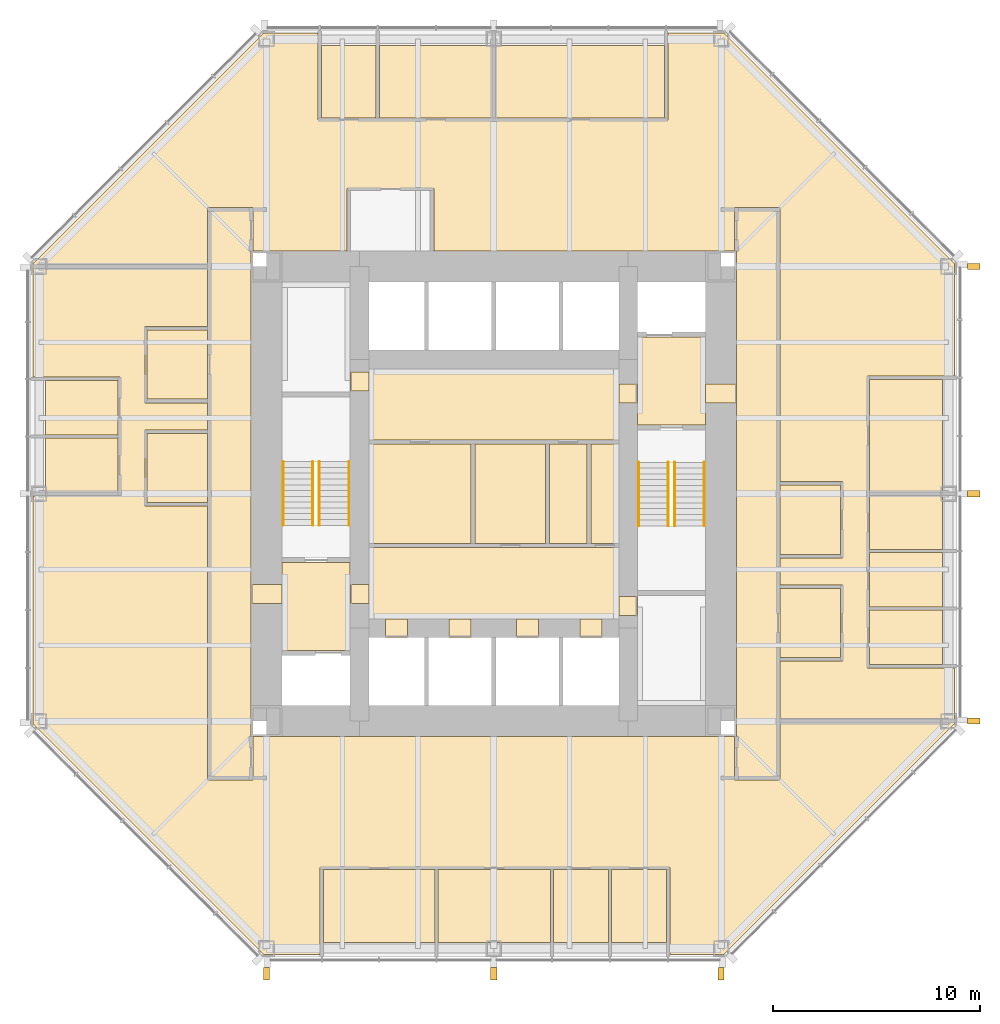
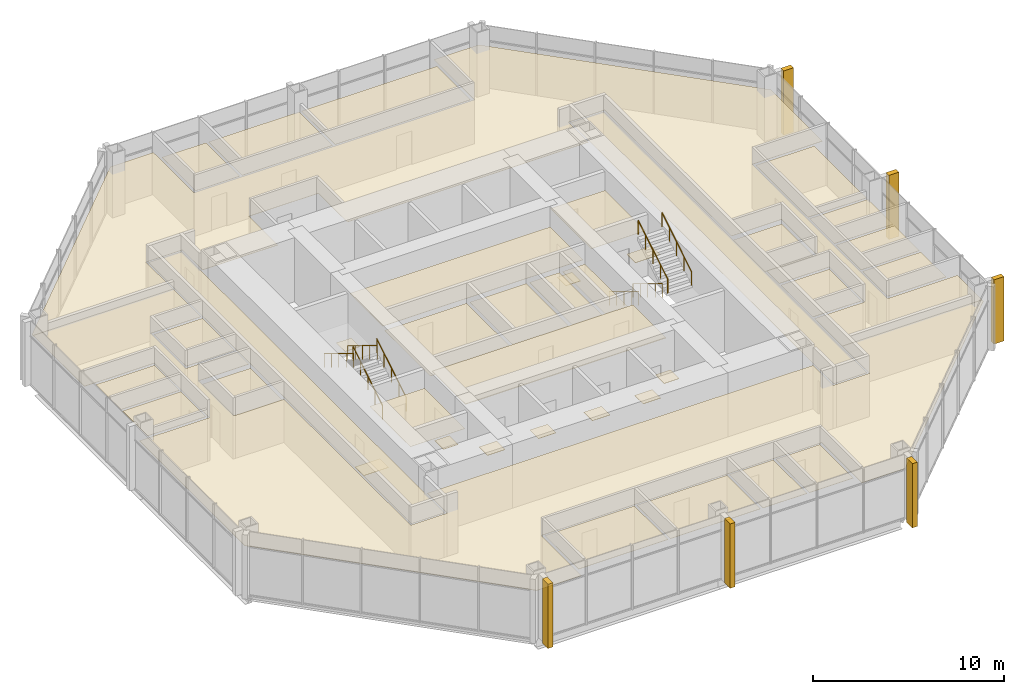
# One storey, part 12 of 12: 45 coverings, 8 railings.
"""IFC4 building model written with IfcOpenShell, lengths in metres."""

from ifc_helpers import new_model, si_unit, direction, frame, origin, origin_2d, place, context, subcontext, project, spatial, polyline, rectangle, circle, outline, extrude, material, layer, layer_set, type_object, element, save


model = new_model("IFC4")

# Units and contexts
model_context = context("Model", 3, precision=1e-05, world=origin(), true_north=direction((0.0, 1.0)))
body_context = subcontext(model_context, "Body", "Model", "MODEL_VIEW")
ifc_project = project(units=[si_unit("LENGTHUNIT", "METRE"), si_unit("AREAUNIT", "SQUARE_METRE"), si_unit("VOLUMEUNIT", "CUBIC_METRE"), si_unit("PLANEANGLEUNIT", "RADIAN"), si_unit("MASSUNIT", "GRAM", prefix="KILO")], contexts=[model_context])

# Site, building, storey
site_placement = place(None, origin())
site = spatial("IfcSite", under=ifc_project, at=site_placement, CompositionType="ELEMENT")
building_placement = place(site_placement, origin())
building = spatial("IfcBuilding", under=site, at=building_placement, Name="Trevanion Tower", CompositionType="ELEMENT")
storey_placement = place(building_placement, frame((0.0, 0.0, 137.699951171875)))
storey = spatial("IfcBuildingStorey", under=building, at=storey_placement, Name="L32", CompositionType="ELEMENT", Elevation=137.699951171875)

# Coverings
ifc_material_1 = material(Name="Fibrous plaster coffers on suspended steel grid", Category="steel")
ifc_layer_1 = layer(ifc_material_1, 0.050048828125)
ifc_layer_set_1 = layer_set([ifc_layer_1], Name="CL1 coffered fibrous plaster ceiling 50")
covering_type_1 = type_object("IfcCoveringType", Name="CL1 coffered fibrous plaster ceiling 50", PredefinedType="CEILING", material=ifc_layer_set_1)
covering_1_placement = place(storey_placement, frame((0.0, 0.0, 3.0)))
element("IfcCovering", 1, at=covering_1_placement, inside=storey, type_object=covering_type_1, Name="CL1 L32-LBS", PredefinedType="CEILING", context=body_context, shape_type="SweptSolid", body=[
    extrude(outline(polyline([(6.050048828125, -6.050048828125), (6.050048828125, -2.60009765625), (-6.050048828125, -2.60009765625), (-6.050048828125, -6.050048828125), (6.050048828125, -6.050048828125)])), origin(), (0.0, 0.0, 1.0), 0.050048828125),
])
ifc_material_2 = material(Name="Mineral fibre acoustic tiles in exposed grid", Category="mineral fibre")
ifc_layer_2 = layer(ifc_material_2, 0.02001953125)
ifc_layer_set_2 = layer_set([ifc_layer_2], Name="CL2 acoustic tile ceiling 20")
covering_type_2 = type_object("IfcCoveringType", Name="CL2 acoustic tile ceiling 20", PredefinedType="CEILING", material=ifc_layer_set_2)
covering_2_placement = place(storey_placement, frame((0.0, 0.0, 2.75)))
element("IfcCovering", 2, at=covering_2_placement, inside=storey, type_object=covering_type_2, Name="CL2 L32-LBN", PredefinedType="CEILING", context=body_context, shape_type="SweptSolid", body=[
    extrude(outline(polyline([(6.050048828125, 2.60009765625), (6.050048828125, 6.050048828125), (-6.050048828125, 6.050048828125), (-6.050048828125, 2.60009765625), (6.050048828125, 2.60009765625)])), origin(), (0.0, 0.0, 1.0), 0.02001953125),
])
covering_3_placement = place(storey_placement, frame((0.0, 0.0, 2.75)))
element("IfcCovering", 3, at=covering_3_placement, inside=storey, type_object=covering_type_2, Name="CL2 L32-CO1", PredefinedType="CEILING", context=body_context, shape_type="SweptSolid", body=[
    extrude(outline(polyline([(-11.75, 13.75), (-11.75, -13.75), (-13.75, -13.75), (-13.75, 13.75), (-11.75, 13.75)])), origin(), (0.0, 0.0, 1.0), 0.02001953125),
])
covering_4_placement = place(storey_placement, frame((0.0, 0.0, 2.75)))
element("IfcCovering", 4, at=covering_4_placement, inside=storey, type_object=covering_type_2, Name="CL2 L32-CO2", PredefinedType="CEILING", context=body_context, shape_type="SweptSolid", body=[
    extrude(outline(polyline([(11.75, 13.75), (13.75, 13.75), (13.75, -13.75), (11.75, -13.75), (11.75, 13.75)])), origin(), (0.0, 0.0, 1.0), 0.02001953125),
])
covering_5_placement = place(storey_placement, frame((0.0, 0.0, 2.75)))
element("IfcCovering", 5, at=covering_5_placement, inside=storey, type_object=covering_type_2, Name="CL2 L32-BR", PredefinedType="CEILING", context=body_context, shape_type="SweptSolid", body=[
    extrude(outline(polyline([(8.248046875, 18.175048828125), (0.074951171875, 18.175048828125), (0.074951171875, 21.699951171875), (8.248046875, 21.699951171875), (8.248046875, 18.175048828125)])), origin(), (0.0, 0.0, 1.0), 0.02001953125),
])
covering_6_placement = place(storey_placement, frame((0.0, 0.0, 2.75)))
element("IfcCovering", 6, at=covering_6_placement, inside=storey, type_object=covering_type_2, Name="CL2 L32-MR", PredefinedType="CEILING", context=body_context, shape_type="SweptSolid", body=[
    extrude(outline(polyline([(-0.074951171875, 18.175048828125), (-5.5390625, 18.175048828125), (-5.5390625, 21.699951171875), (-0.074951171875, 21.699951171875), (-0.074951171875, 18.175048828125)])), origin(), (0.0, 0.0, 1.0), 0.02001953125),
])
covering_7_placement = place(storey_placement, frame((0.0, 0.0, 2.75)))
element("IfcCovering", 7, at=covering_7_placement, inside=storey, type_object=covering_type_2, Name="CL2 L32-OF", PredefinedType="CEILING", context=body_context, shape_type="SweptSolid", body=[
    extrude(outline(polyline([(-5.68896484375, 18.175048828125), (-8.345947265625, 18.175048828125), (-8.345947265625, 21.699951171875), (-5.68896484375, 21.699951171875), (-5.68896484375, 18.175048828125)])), origin(), (0.0, 0.0, 1.0), 0.02001953125),
])
covering_8_placement = place(storey_placement, frame((0.0, 0.0, 2.75)))
element("IfcCovering", 8, at=covering_8_placement, inside=storey, type_object=covering_type_2, Name="CL2 L32-MR2", PredefinedType="CEILING", context=body_context, shape_type="SweptSolid", body=[
    extrude(outline(polyline([(-8.248046875, -18.175048828125), (-2.85009765625, -18.175048828125), (-2.85009765625, -21.699951171875), (-8.248046875, -21.699951171875), (-8.248046875, -18.175048828125)])), origin(), (0.0, 0.0, 1.0), 0.02001953125),
])
covering_9_placement = place(storey_placement, frame((0.0, 0.0, 2.75)))
element("IfcCovering", 9, at=covering_9_placement, inside=storey, type_object=covering_type_2, Name="CL2 L32-MR3", PredefinedType="CEILING", context=body_context, shape_type="SweptSolid", body=[
    extrude(outline(polyline([(-2.699951171875, -18.175048828125), (2.73193359375, -18.175048828125), (2.73193359375, -21.699951171875), (-2.699951171875, -21.699951171875), (-2.699951171875, -18.175048828125)])), origin(), (0.0, 0.0, 1.0), 0.02001953125),
])
covering_10_placement = place(storey_placement, frame((0.0, 0.0, 2.75)))
element("IfcCovering", 10, at=covering_10_placement, inside=storey, type_object=covering_type_2, Name="CL2 L32-OF2", PredefinedType="CEILING", context=body_context, shape_type="SweptSolid", body=[
    extrude(outline(polyline([(2.882080078125, -18.175048828125), (5.5390625, -18.175048828125), (5.5390625, -21.699951171875), (2.882080078125, -21.699951171875), (2.882080078125, -18.175048828125)])), origin(), (0.0, 0.0, 1.0), 0.02001953125),
])
covering_11_placement = place(storey_placement, frame((0.0, 0.0, 2.75)))
element("IfcCovering", 11, at=covering_11_placement, inside=storey, type_object=covering_type_2, Name="CL2 L32-OF3", PredefinedType="CEILING", context=body_context, shape_type="SweptSolid", body=[
    extrude(outline(polyline([(5.68896484375, -18.175048828125), (8.345947265625, -18.175048828125), (8.345947265625, -21.699951171875), (5.68896484375, -21.699951171875), (5.68896484375, -18.175048828125)])), origin(), (0.0, 0.0, 1.0), 0.02001953125),
])
covering_12_placement = place(storey_placement, frame((0.0, 0.0, 2.75)))
element("IfcCovering", 12, at=covering_12_placement, inside=storey, type_object=covering_type_2, Name="CL2 L32-OF4", PredefinedType="CEILING", context=body_context, shape_type="SweptSolid", body=[
    extrude(outline(polyline([(18.175048828125, -8.248046875), (18.175048828125, -5.6240234375), (21.699951171875, -5.6240234375), (21.699951171875, -8.248046875), (18.175048828125, -8.248046875)])), origin(), (0.0, 0.0, 1.0), 0.02001953125),
])
covering_13_placement = place(storey_placement, frame((0.0, 0.0, 2.75)))
element("IfcCovering", 13, at=covering_13_placement, inside=storey, type_object=covering_type_2, Name="CL2 L32-OF5", PredefinedType="CEILING", context=body_context, shape_type="SweptSolid", body=[
    extrude(outline(polyline([(18.175048828125, -5.47412109375), (18.175048828125, -2.85009765625), (21.699951171875, -2.85009765625), (21.699951171875, -5.47412109375), (18.175048828125, -5.47412109375)])), origin(), (0.0, 0.0, 1.0), 0.02001953125),
])
covering_14_placement = place(storey_placement, frame((0.0, 0.0, 2.75)))
element("IfcCovering", 14, at=covering_14_placement, inside=storey, type_object=covering_type_2, Name="CL2 L32-OF6", PredefinedType="CEILING", context=body_context, shape_type="SweptSolid", body=[
    extrude(outline(polyline([(18.175048828125, -2.699951171875), (18.175048828125, -0.074951171875), (21.699951171875, -0.074951171875), (21.699951171875, -2.699951171875), (18.175048828125, -2.699951171875)])), origin(), (0.0, 0.0, 1.0), 0.02001953125),
])
covering_15_placement = place(storey_placement, frame((0.0, 0.0, 2.75)))
element("IfcCovering", 15, at=covering_15_placement, inside=storey, type_object=covering_type_2, Name="CL2 L32-MR4", PredefinedType="CEILING", context=body_context, shape_type="SweptSolid", body=[
    extrude(outline(polyline([(18.175048828125, 0.074951171875), (18.175048828125, 5.5390625), (21.699951171875, 5.5390625), (21.699951171875, 0.074951171875), (18.175048828125, 0.074951171875)])), origin(), (0.0, 0.0, 1.0), 0.02001953125),
])
covering_16_placement = place(storey_placement, frame((0.0, 0.0, 2.75)))
element("IfcCovering", 16, at=covering_16_placement, inside=storey, type_object=covering_type_2, Name="CL2 L32-OF7", PredefinedType="CEILING", context=body_context, shape_type="SweptSolid", body=[
    extrude(outline(polyline([(-18.175048828125, 5.47412109375), (-18.175048828125, 2.85009765625), (-21.699951171875, 2.85009765625), (-21.699951171875, 5.47412109375), (-18.175048828125, 5.47412109375)])), origin(), (0.0, 0.0, 1.0), 0.02001953125),
])
covering_17_placement = place(storey_placement, frame((0.0, 0.0, 2.75)))
element("IfcCovering", 17, at=covering_17_placement, inside=storey, type_object=covering_type_2, Name="CL2 L32-OF8", PredefinedType="CEILING", context=body_context, shape_type="SweptSolid", body=[
    extrude(outline(polyline([(-18.175048828125, 2.699951171875), (-18.175048828125, 0.074951171875), (-21.699951171875, 0.074951171875), (-21.699951171875, 2.699951171875), (-18.175048828125, 2.699951171875)])), origin(), (0.0, 0.0, 1.0), 0.02001953125),
])
covering_18_placement = place(storey_placement, frame((0.0, 0.0, 2.75)))
element("IfcCovering", 18, at=covering_18_placement, inside=storey, type_object=covering_type_2, Name="CL2 L32-RC", PredefinedType="CEILING", context=body_context, shape_type="SweptSolid", body=[
    extrude(outline(polyline([(13.85009765625, -7.925048828125), (13.85009765625, -4.574951171875), (16.77490234375, -4.574951171875), (16.77490234375, -7.925048828125), (13.85009765625, -7.925048828125)])), origin(), (0.0, 0.0, 1.0), 0.02001953125),
])
covering_19_placement = place(storey_placement, frame((0.0, 0.0, 2.75)))
element("IfcCovering", 19, at=covering_19_placement, inside=storey, type_object=covering_type_2, Name="CL2 L32-RC2", PredefinedType="CEILING", context=body_context, shape_type="SweptSolid", body=[
    extrude(outline(polyline([(-13.85009765625, 7.925048828125), (-13.85009765625, 4.574951171875), (-16.77490234375, 4.574951171875), (-16.77490234375, 7.925048828125), (-13.85009765625, 7.925048828125)])), origin(), (0.0, 0.0, 1.0), 0.02001953125),
])
covering_20_placement = place(storey_placement, frame((0.0, 0.0, 2.75)))
element("IfcCovering", 20, at=covering_20_placement, inside=storey, type_object=covering_type_2, Name="CL2 L32-OP", PredefinedType="CEILING", context=body_context, shape_type="SweptSolid", body=[
    extrude(outline(polyline([(11.64990234375, 13.85009765625), (11.64990234375, 11.75), (-2.905029296875, 11.75), (-2.905029296875, 14.77001953125), (-7.094970703125, 14.77001953125), (-7.094970703125, 11.75), (-11.64990234375, 11.75), (-11.64990234375, 13.85009765625), (-13.85009765625, 13.85009765625), (-13.85009765625, 11.0), (-22.300048828125, 11.0), (-22.300048828125, 11.124267578125), (-11.124267578125, 22.300048828125), (-8.51611328125, 22.300048828125), (-8.51611328125, 18.080078125), (8.41796875, 18.080078125), (8.41796875, 22.300048828125), (11.124267578125, 22.300048828125), (22.300048828125, 11.124267578125), (22.300048828125, 5.708984375), (18.080078125, 5.708984375), (18.080078125, -8.41796875), (22.300048828125, -8.41796875), (22.300048828125, -11.0), (13.85009765625, -11.0), (13.85009765625, -8.094970703125), (16.8701171875, -8.094970703125), (16.8701171875, -4.405029296875), (13.85009765625, -4.405029296875), (13.85009765625, -3.094970703125), (16.8701171875, -3.094970703125), (16.8701171875, 0.594970703125), (13.85009765625, 0.594970703125), (13.85009765625, 13.85009765625), (11.64990234375, 13.85009765625)])), origin(), (0.0, 0.0, 1.0), 0.02001953125),
])
covering_21_placement = place(storey_placement, frame((0.0, 0.0, 2.75)))
element("IfcCovering", 21, at=covering_21_placement, inside=storey, type_object=covering_type_2, Name="CL2 L32-OP2", PredefinedType="CEILING", context=body_context, shape_type="SweptSolid", body=[
    extrude(outline(polyline([(11.64990234375, -13.85009765625), (13.85009765625, -13.85009765625), (13.85009765625, -11.0), (22.300048828125, -11.0), (22.300048828125, -11.124267578125), (11.124267578125, -22.300048828125), (8.51611328125, -22.300048828125), (8.51611328125, -18.080078125), (-8.41796875, -18.080078125), (-8.41796875, -22.300048828125), (-11.124267578125, -22.300048828125), (-22.300048828125, -11.124267578125), (-22.300048828125, -0.094970703125), (-18.080078125, -0.094970703125), (-18.080078125, 5.64404296875), (-22.300048828125, 5.64404296875), (-22.300048828125, 11.0), (-13.85009765625, 11.0), (-13.85009765625, 8.094970703125), (-16.8701171875, 8.094970703125), (-16.8701171875, 4.405029296875), (-13.85009765625, 4.405029296875), (-13.85009765625, 3.094970703125), (-16.8701171875, 3.094970703125), (-16.8701171875, -0.594970703125), (-13.85009765625, -0.594970703125), (-13.85009765625, -13.85009765625), (-11.64990234375, -13.85009765625), (-11.64990234375, -11.75), (11.64990234375, -11.75), (11.64990234375, -13.85009765625)])), origin(), (0.0, 0.0, 1.0), 0.02001953125),
])
ifc_material_3 = material(Name="Gypsum plasterboard on suspended metal furring", Category="gypsum")
ifc_layer_3 = layer(ifc_material_3, 0.012939453125)
ifc_layer_set_3 = layer_set([ifc_layer_3], Name="CL3 plasterboard ceiling 13")
covering_type_3 = type_object("IfcCoveringType", Name="CL3 plasterboard ceiling 13", PredefinedType="CEILING", material=ifc_layer_set_3)
covering_22_placement = place(storey_placement, frame((0.0, 0.0, 2.699951171875)))
element("IfcCovering", 22, at=covering_22_placement, inside=storey, type_object=covering_type_3, Name="CL3 L32-FV1", PredefinedType="CEILING", context=body_context, shape_type="SweptSolid", body=[
    extrude(outline(polyline([(10.25, 3.324951171875), (10.25, 7.574951171875), (6.949951171875, 7.574951171875), (6.949951171875, 3.324951171875), (10.25, 3.324951171875)])), origin(), (0.0, 0.0, 1.0), 0.01318359375),
])
covering_23_placement = place(storey_placement, frame((0.0, 0.0, 2.699951171875)))
element("IfcCovering", 23, at=covering_23_placement, inside=storey, type_object=covering_type_3, Name="CL3 L32-FV2", PredefinedType="CEILING", context=body_context, shape_type="SweptSolid", body=[
    extrude(outline(polyline([(-10.25, -3.324951171875), (-10.25, -7.574951171875), (-6.949951171875, -7.574951171875), (-6.949951171875, -3.324951171875), (-10.25, -3.324951171875)])), origin(), (0.0, 0.0, 1.0), 0.01318359375),
])
ifc_material_4 = material(Name="Moisture-resistant gypsum board on suspended metal furring", Category="gypsum")
ifc_layer_4 = layer(ifc_material_4, 0.01611328125)
ifc_layer_set_4 = layer_set([ifc_layer_4], Name="CL4 moisture-resistant board ceiling 16")
covering_type_4 = type_object("IfcCoveringType", Name="CL4 moisture-resistant board ceiling 16", PredefinedType="CEILING", material=ifc_layer_set_4)
covering_24_placement = place(storey_placement, frame((0.0, 0.0, 2.60009765625)))
element("IfcCovering", 24, at=covering_24_placement, inside=storey, type_object=covering_type_4, Name="CL4 L32-WCM", PredefinedType="CEILING", context=body_context, shape_type="SweptSolid", body=[
    extrude(outline(polyline([(-1.10009765625, -2.39990234375), (-1.10009765625, 2.39990234375), (-6.050048828125, 2.39990234375), (-6.050048828125, -2.39990234375), (-1.10009765625, -2.39990234375)])), origin(), (0.0, 0.0, 1.0), 0.015869140625),
])
covering_25_placement = place(storey_placement, frame((0.0, 0.0, 2.60009765625)))
element("IfcCovering", 25, at=covering_25_placement, inside=storey, type_object=covering_type_4, Name="CL4 L32-WCF", PredefinedType="CEILING", context=body_context, shape_type="SweptSolid", body=[
    extrude(outline(polyline([(2.5, -2.39990234375), (2.5, 2.39990234375), (-0.89990234375, 2.39990234375), (-0.89990234375, -2.39990234375), (2.5, -2.39990234375)])), origin(), (0.0, 0.0, 1.0), 0.015869140625),
])
covering_26_placement = place(storey_placement, frame((0.0, 0.0, 2.60009765625)))
element("IfcCovering", 26, at=covering_26_placement, inside=storey, type_object=covering_type_4, Name="CL4 L32-WCA", PredefinedType="CEILING", context=body_context, shape_type="SweptSolid", body=[
    extrude(outline(polyline([(4.5, -2.39990234375), (4.5, 2.39990234375), (2.699951171875, 2.39990234375), (2.699951171875, -2.39990234375), (4.5, -2.39990234375)])), origin(), (0.0, 0.0, 1.0), 0.015869140625),
])
covering_27_placement = place(storey_placement, frame((0.0, 0.0, 2.60009765625)))
element("IfcCovering", 27, at=covering_27_placement, inside=storey, type_object=covering_type_4, Name="CL4 L32-SH", PredefinedType="CEILING", context=body_context, shape_type="SweptSolid", body=[
    extrude(outline(polyline([(6.050048828125, -2.39990234375), (6.050048828125, 2.39990234375), (4.699951171875, 2.39990234375), (4.699951171875, -2.39990234375), (6.050048828125, -2.39990234375)])), origin(), (0.0, 0.0, 1.0), 0.015869140625),
])
covering_28_placement = place(storey_placement, frame((0.0, 0.0, 2.60009765625)))
element("IfcCovering", 28, at=covering_28_placement, inside=storey, type_object=covering_type_4, Name="CL4 L32-PA", PredefinedType="CEILING", context=body_context, shape_type="SweptSolid", body=[
    extrude(outline(polyline([(13.85009765625, -2.925048828125), (13.85009765625, 0.425048828125), (16.77490234375, 0.425048828125), (16.77490234375, -2.925048828125), (13.85009765625, -2.925048828125)])), origin(), (0.0, 0.0, 1.0), 0.015869140625),
])
covering_29_placement = place(storey_placement, frame((0.0, 0.0, 2.60009765625)))
element("IfcCovering", 29, at=covering_29_placement, inside=storey, type_object=covering_type_4, Name="CL4 L32-PA2", PredefinedType="CEILING", context=body_context, shape_type="SweptSolid", body=[
    extrude(outline(polyline([(-13.85009765625, 2.925048828125), (-13.85009765625, -0.425048828125), (-16.77490234375, -0.425048828125), (-16.77490234375, 2.925048828125), (-13.85009765625, 2.925048828125)])), origin(), (0.0, 0.0, 1.0), 0.015869140625),
])
ifc_material_5 = material(Name="Cast bronze fin on aluminium carrier", Category="aluminium")
covering_type_5 = type_object("IfcCoveringType", Name="F1 bronze fin", PredefinedType="CLADDING", material=ifc_material_5)
for number, where, z_axis, x_axis, name in (
    (30, (23.22509765625, -11.0, -0.18994140625), (0.0, 0.0, 1.0), (0.0, 1.0, 0.0), "F1 L32 east -11.0"),
    (31, (23.22509765625, 0.0, -0.18994140625), (0.0, 0.0, 1.0), (0.0, 1.0, 0.0), "F1 L32 east +0.0"),
    (32, (23.22509765625, 11.0, -0.18994140625), (0.0, 0.0, 1.0), (0.0, 1.0, 0.0), "F1 L32 east +11.0"),
    (33, (-11.0, -23.22509765625, -0.18994140625), (0.0, 0.0, 1.0), (1.0, 0.0, 0.0), "F1 L32 south -11.0"),
    (34, (0.0, -23.22509765625, -0.18994140625), (0.0, 0.0, 1.0), (1.0, 0.0, 0.0), "F1 L32 south +0.0"),
    (35, (11.0, -23.22509765625, -0.18994140625), (0.0, 0.0, 1.0), (1.0, 0.0, 0.0), "F1 L32 south +11.0"),
):
    element("IfcCovering", number, at=place(storey_placement, frame(where, z_axis=z_axis, x_axis=x_axis)), inside=storey, type_object=covering_type_5, Name=name, PredefinedType="CLADDING", context=body_context, shape_type="SweptSolid", body=[
        extrude(rectangle(XDim=0.300048828125, YDim=0.60009765625, at=origin_2d()), origin(), (0.0, 0.0, 1.0), 4.10009765625),
    ])
ifc_material_6 = material(Name="Terrazzo, brass divider strips", Category="stone")
ifc_layer_5 = layer(ifc_material_6, 0.02001953125)
ifc_layer_set_5 = layer_set([ifc_layer_5], Name="FF1 terrazzo flooring")
covering_type_6 = type_object("IfcCoveringType", Name="FF1 terrazzo flooring", PredefinedType="FLOORING", material=ifc_layer_set_5)
covering_30_placement = place(storey_placement, origin())
element("IfcCovering", 36, at=covering_30_placement, inside=storey, type_object=covering_type_6, Name="FF1 threshold 32-001", PredefinedType="FLOORING", context=body_context, shape_type="SweptSolid", body=[
    extrude(outline(polyline([(11.75, 4.392578125), (11.75, 5.3076171875), (10.25, 5.3076171875), (10.25, 4.392578125), (11.75, 4.392578125)])), origin(), (0.0, 0.0, 1.0), 0.02001953125),
])
covering_31_placement = place(storey_placement, origin())
element("IfcCovering", 37, at=covering_31_placement, inside=storey, type_object=covering_type_6, Name="FF1 threshold 32-002", PredefinedType="FLOORING", context=body_context, shape_type="SweptSolid", body=[
    extrude(outline(polyline([(-11.75, -4.392578125), (-11.75, -5.3076171875), (-10.25, -5.3076171875), (-10.25, -4.392578125), (-11.75, -4.392578125)])), origin(), (0.0, 0.0, 1.0), 0.02001953125),
])
covering_32_placement = place(storey_placement, origin())
element("IfcCovering", 38, at=covering_32_placement, inside=storey, type_object=covering_type_6, Name="FF1 threshold 32-003", PredefinedType="FLOORING", context=body_context, shape_type="SweptSolid", body=[
    extrude(outline(polyline([(6.949951171875, 4.392578125), (6.949951171875, 5.3076171875), (6.050048828125, 5.3076171875), (6.050048828125, 4.392578125), (6.949951171875, 4.392578125)])), origin(), (0.0, 0.0, 1.0), 0.02001953125),
])
covering_33_placement = place(storey_placement, origin())
element("IfcCovering", 39, at=covering_33_placement, inside=storey, type_object=covering_type_6, Name="FF1 threshold 32-004", PredefinedType="FLOORING", context=body_context, shape_type="SweptSolid", body=[
    extrude(outline(polyline([(-6.949951171875, -4.392578125), (-6.949951171875, -5.3076171875), (-6.050048828125, -5.3076171875), (-6.050048828125, -4.392578125), (-6.949951171875, -4.392578125)])), origin(), (0.0, 0.0, 1.0), 0.02001953125),
])
covering_34_placement = place(storey_placement, origin())
element("IfcCovering", 40, at=covering_34_placement, inside=storey, type_object=covering_type_6, Name="FF1 threshold 32-009", PredefinedType="FLOORING", context=body_context, shape_type="SweptSolid", body=[
    extrude(outline(polyline([(6.949951171875, -5.889892578125), (6.949951171875, -4.97509765625), (6.050048828125, -4.97509765625), (6.050048828125, -5.889892578125), (6.949951171875, -5.889892578125)])), origin(), (0.0, 0.0, 1.0), 0.02001953125),
])
covering_35_placement = place(storey_placement, origin())
element("IfcCovering", 41, at=covering_35_placement, inside=storey, type_object=covering_type_6, Name="FF1 threshold 32-010", PredefinedType="FLOORING", context=body_context, shape_type="SweptSolid", body=[
    extrude(outline(polyline([(-6.949951171875, 5.889892578125), (-6.949951171875, 4.97509765625), (-6.050048828125, 4.97509765625), (-6.050048828125, 5.889892578125), (-6.949951171875, 5.889892578125)])), origin(), (0.0, 0.0, 1.0), 0.02001953125),
])
covering_36_placement = place(storey_placement, origin())
element("IfcCovering", 42, at=covering_36_placement, inside=storey, type_object=covering_type_6, Name="FF1 threshold 32-011", PredefinedType="FLOORING", context=body_context, shape_type="SweptSolid", body=[
    extrude(outline(polyline([(-5.2333984375, -6.949951171875), (-4.16650390625, -6.949951171875), (-4.16650390625, -6.050048828125), (-5.2333984375, -6.050048828125), (-5.2333984375, -6.949951171875)])), origin(), (0.0, 0.0, 1.0), 0.02001953125),
])
covering_37_placement = place(storey_placement, origin())
element("IfcCovering", 43, at=covering_37_placement, inside=storey, type_object=covering_type_6, Name="FF1 threshold 32-012", PredefinedType="FLOORING", context=body_context, shape_type="SweptSolid", body=[
    extrude(outline(polyline([(-2.158447265625, -6.949951171875), (-1.091552734375, -6.949951171875), (-1.091552734375, -6.050048828125), (-2.158447265625, -6.050048828125), (-2.158447265625, -6.949951171875)])), origin(), (0.0, 0.0, 1.0), 0.02001953125),
])
covering_38_placement = place(storey_placement, origin())
element("IfcCovering", 44, at=covering_38_placement, inside=storey, type_object=covering_type_6, Name="FF1 threshold 32-013", PredefinedType="FLOORING", context=body_context, shape_type="SweptSolid", body=[
    extrude(outline(polyline([(1.091552734375, -6.949951171875), (2.158447265625, -6.949951171875), (2.158447265625, -6.050048828125), (1.091552734375, -6.050048828125), (1.091552734375, -6.949951171875)])), origin(), (0.0, 0.0, 1.0), 0.02001953125),
])
covering_39_placement = place(storey_placement, origin())
element("IfcCovering", 45, at=covering_39_placement, inside=storey, type_object=covering_type_6, Name="FF1 threshold 32-014", PredefinedType="FLOORING", context=body_context, shape_type="SweptSolid", body=[
    extrude(outline(polyline([(4.16650390625, -6.949951171875), (5.2333984375, -6.949951171875), (5.2333984375, -6.050048828125), (4.16650390625, -6.050048828125), (4.16650390625, -6.949951171875)])), origin(), (0.0, 0.0, 1.0), 0.02001953125),
])

# Railings
ifc_material_7 = material(Name="Stainless steel tube 40 mm", Category="steel")
railing_type = type_object("IfcRailingType", Name="HR1 handrail", PredefinedType="HANDRAIL", material=ifc_material_7)
for number, where, name in (
    (46, (7.010009765625, 1.52490234375, 0.1708984375), "HR1 ST1 L32 flight 1"),
    (47, (8.43994140625, 1.52490234375, 0.1708984375), "HR1 ST1 L32 flight 1"),
):
    element("IfcRailing", number, at=place(storey_placement, frame(where)), inside=storey, type_object=railing_type, Name=name, PredefinedType="HANDRAIL", context=body_context, shape_type="SweptSolid", body=[
        extrude(circle(Radius=0.02001953125, at=origin_2d()), frame((0.0, 0.0, 0.8798828125), z_axis=(0.0, -0.853647949592, 0.520850437417), x_axis=(1.0, 0.0, 0.0)), (0.0, 0.0, 1.0), 3.60791015625),
        extrude(circle(Radius=0.01513671875, at=origin_2d()), origin(), (0.0, 0.0, 1.0), 0.85986328125),
        extrude(circle(Radius=0.01513671875, at=origin_2d()), frame((0.0, -0.77001953125, 0.4697265625)), (0.0, 0.0, 1.0), 0.85986328125),
        extrude(circle(Radius=0.01513671875, at=origin_2d()), frame((0.0, -1.5400390625, 0.939453125)), (0.0, 0.0, 1.0), 0.85986328125),
        extrude(circle(Radius=0.01513671875, at=origin_2d()), frame((0.0, -2.309814453125, 1.409423828125)), (0.0, 0.0, 1.0), 0.85986328125),
        extrude(circle(Radius=0.01513671875, at=origin_2d()), frame((0.0, -3.079833984375, 1.879150390625)), (0.0, 0.0, 1.0), 0.85986328125),
    ])
for number, where, name in (
    (48, (8.760009765625, -1.554931640625, 2.220947265625), "HR1 ST1 L32 flight 2"),
    (49, (10.18994140625, -1.554931640625, 2.220947265625), "HR1 ST1 L32 flight 2"),
    (50, (-7.010009765625, -1.52490234375, 0.1708984375), "HR1 ST2 L32 flight 1"),
    (51, (-8.43994140625, -1.52490234375, 0.1708984375), "HR1 ST2 L32 flight 1"),
):
    element("IfcRailing", number, at=place(storey_placement, frame(where)), inside=storey, type_object=railing_type, Name=name, PredefinedType="HANDRAIL", context=body_context, shape_type="SweptSolid", body=[
        extrude(circle(Radius=0.02001953125, at=origin_2d()), frame((0.0, 0.0, 0.8798828125), z_axis=(0.0, 0.853647949592, 0.520850437417), x_axis=(-1.0, 0.0, 0.0)), (0.0, 0.0, 1.0), 3.60791015625),
        extrude(circle(Radius=0.01513671875, at=origin_2d()), origin(), (0.0, 0.0, 1.0), 0.85986328125),
        extrude(circle(Radius=0.01513671875, at=origin_2d()), frame((0.0, 0.77001953125, 0.4697265625)), (0.0, 0.0, 1.0), 0.85986328125),
        extrude(circle(Radius=0.01513671875, at=origin_2d()), frame((0.0, 1.5400390625, 0.939453125)), (0.0, 0.0, 1.0), 0.85986328125),
        extrude(circle(Radius=0.01513671875, at=origin_2d()), frame((0.0, 2.309814453125, 1.409423828125)), (0.0, 0.0, 1.0), 0.85986328125),
        extrude(circle(Radius=0.01513671875, at=origin_2d()), frame((0.0, 3.079833984375, 1.879150390625)), (0.0, 0.0, 1.0), 0.85986328125),
    ])
for number, where, name in (
    (52, (-8.760009765625, 1.554931640625, 2.220947265625), "HR1 ST2 L32 flight 2"),
    (53, (-10.18994140625, 1.554931640625, 2.220947265625), "HR1 ST2 L32 flight 2"),
):
    element("IfcRailing", number, at=place(storey_placement, frame(where)), inside=storey, type_object=railing_type, Name=name, PredefinedType="HANDRAIL", context=body_context, shape_type="SweptSolid", body=[
        extrude(circle(Radius=0.02001953125, at=origin_2d()), frame((0.0, 0.0, 0.8798828125), z_axis=(0.0, -0.853647949592, 0.520850437417), x_axis=(1.0, 0.0, 0.0)), (0.0, 0.0, 1.0), 3.60791015625),
        extrude(circle(Radius=0.01513671875, at=origin_2d()), origin(), (0.0, 0.0, 1.0), 0.85986328125),
        extrude(circle(Radius=0.01513671875, at=origin_2d()), frame((0.0, -0.77001953125, 0.4697265625)), (0.0, 0.0, 1.0), 0.85986328125),
        extrude(circle(Radius=0.01513671875, at=origin_2d()), frame((0.0, -1.5400390625, 0.939453125)), (0.0, 0.0, 1.0), 0.85986328125),
        extrude(circle(Radius=0.01513671875, at=origin_2d()), frame((0.0, -2.309814453125, 1.409423828125)), (0.0, 0.0, 1.0), 0.85986328125),
        extrude(circle(Radius=0.01513671875, at=origin_2d()), frame((0.0, -3.079833984375, 1.879150390625)), (0.0, 0.0, 1.0), 0.85986328125),
    ])

save(model, "model.ifc")
